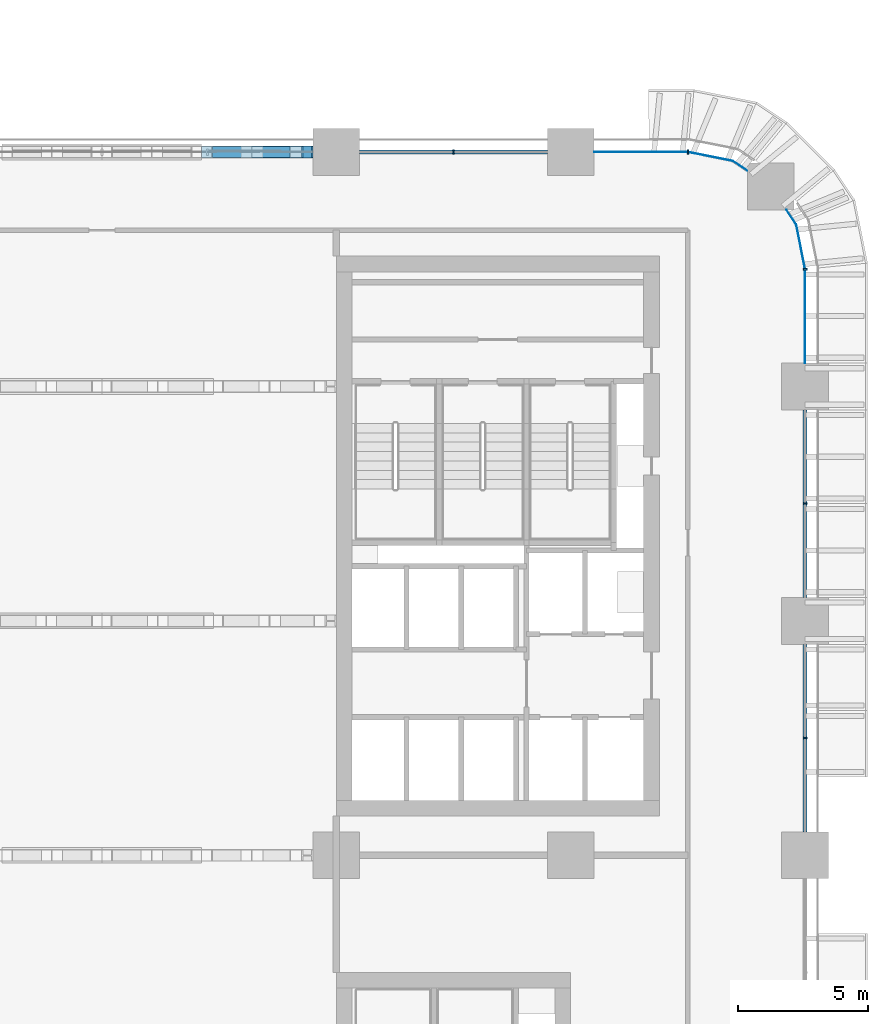
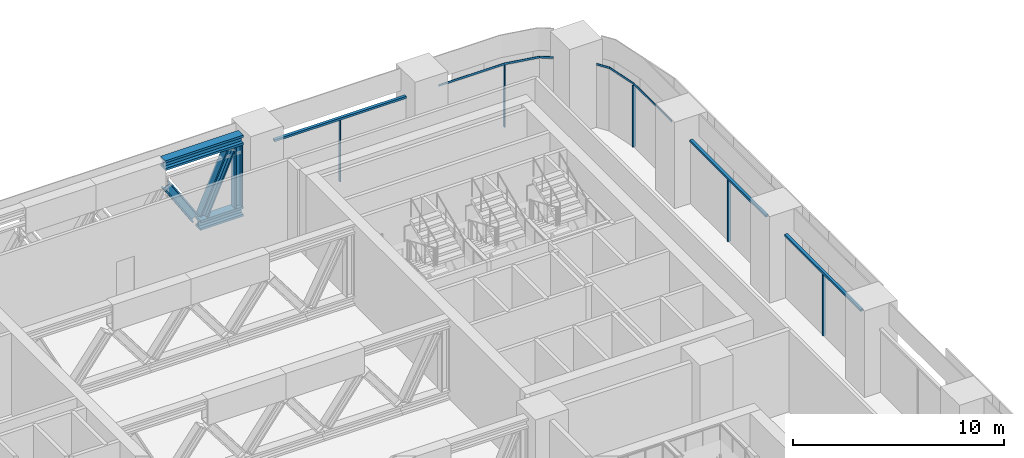
# One storey, part 10 of 35: 15 members, 5 elements without a shape of their own.
"""IFC4 building model written with IfcOpenShell, lengths in metres."""

import ifcopenshell
import ifcopenshell.guid

model = None  # the IFC model being written
_history = None  # IfcOwnerHistory: only IFC2X3 demands one
_inside = {}  # id of a spatial element -> (the spatial element, [elements in it])
_under = {}  # id of a project, library or spatial element -> (it, [spatial elements below it])
_declared = {}  # id of a project -> (the project, [libraries it declares])
_typed = {}  # id of a type object -> (the type object, [elements of that type])
_made_of = {}  # id of a material, layer set ... -> (it, [elements and type objects made of it])


def new_model(schema):
    """Start an empty IFC model of exactly this schema.

    Asked for "IFC4X3", IfcOpenShell would pick the latest addendum, in which some entities
    have other attributes; the version numbers below select the first issue.
    IFC2X3 requires an IfcOwnerHistory on every rooted entity: one is made here for all.
    """
    global model, _history
    if schema == "IFC4X3":
        model = ifcopenshell.file(schema_version=(4, 3, 0, 0))
    else:
        model = ifcopenshell.file(schema=schema)
    _inside.clear()
    _under.clear()
    _declared.clear()
    _typed.clear()
    _made_of.clear()
    _history = None
    if model.schema == "IFC2X3":
        org = make("IfcOrganization", Name="unknown")
        user = make(
            "IfcPersonAndOrganization",
            ThePerson=make("IfcPerson", FamilyName="unknown"),
            TheOrganization=org,
        )
        app = make(
            "IfcApplication",
            ApplicationDeveloper=org,
            Version="unknown",
            ApplicationFullName="unknown",
            ApplicationIdentifier="unknown",
        )
        _history = make(
            "IfcOwnerHistory",
            OwningUser=user,
            OwningApplication=app,
            ChangeAction="ADDED",
            CreationDate=0,
        )
    return model


def make(cls, **values):
    """One entity of the class cls with the attributes given. An attribute that is None is left unset."""
    return model.create_entity(
        cls, **{name: value for name, value in values.items() if value is not None}
    )


def rooted(cls, **values):
    """An entity with a GlobalId (a new one), such as an element, a storey or a relation."""
    return make(cls, GlobalId=ifcopenshell.guid.new(), OwnerHistory=_history, **values)


def si_unit(unit_type, name, prefix=None):
    """IfcSIUnit, for example si_unit("LENGTHUNIT", "METRE", prefix="MILLI")."""
    return make("IfcSIUnit", UnitType=unit_type, Prefix=prefix, Name=name)


def assignment(units):
    """IfcUnitAssignment: the units of a project."""
    return None if units is None else make("IfcUnitAssignment", Units=units)


def point(xyz):
    """IfcCartesianPoint."""
    return None if xyz is None else make("IfcCartesianPoint", Coordinates=xyz)


def direction(xyz):
    """IfcDirection."""
    return None if xyz is None else make("IfcDirection", DirectionRatios=xyz)


def frame(location, z_axis=None, x_axis=None):
    """IfcAxis2Placement3D, a coordinate frame: its origin and axes. An axis left out is left unset."""
    return make(
        "IfcAxis2Placement3D",
        Location=point(location),
        Axis=direction(z_axis),
        RefDirection=direction(x_axis),
    )


def frame_2d(location, x_axis=None):
    """IfcAxis2Placement2D, a coordinate frame in the plane: its origin and x axis."""
    return make(
        "IfcAxis2Placement2D", Location=point(location), RefDirection=direction(x_axis)
    )


def origin():
    """The frame at (0, 0, 0) with its axes left unset."""
    return frame((0.0, 0.0, 0.0))


def origin_2d():
    """The frame at (0, 0) in the plane with its x axis left unset."""
    return frame_2d((0.0, 0.0))


def place(relative_to, where):
    """IfcLocalPlacement: puts the frame where relative to a parent placement (None: the world)."""
    return make(
        "IfcLocalPlacement", PlacementRelTo=relative_to, RelativePlacement=where
    )


def context(
    kind, dimensions, precision=None, world=None, true_north=None, identifier=None
):
    """IfcGeometricRepresentationContext, for example the 3D "Model" context."""
    return make(
        "IfcGeometricRepresentationContext",
        ContextIdentifier=identifier,
        ContextType=kind,
        CoordinateSpaceDimension=dimensions,
        Precision=precision,
        WorldCoordinateSystem=world,
        TrueNorth=true_north,
    )


def subcontext(parent, identifier, kind, view, scale=None):
    """IfcGeometricRepresentationSubContext, for example "Body" below "Model"."""
    return make(
        "IfcGeometricRepresentationSubContext",
        ContextIdentifier=identifier,
        ContextType=kind,
        ParentContext=parent,
        TargetScale=scale,
        TargetView=view,
    )


def project(units=None, contexts=None):
    """IfcProject with its units and contexts."""
    return rooted(
        "IfcProject",
        Name="project",
        RepresentationContexts=contexts,
        UnitsInContext=assignment(units),
    )


def spatial(cls, under=None, at=None, **own):
    """A site, building, storey or space (cls), placed at a placement, below another one or the project."""
    s = rooted(cls, ObjectPlacement=at, **own)
    if under is not None:
        _under.setdefault(under.id(), (under, []))[1].append(s)
    return s


def polyline(points):
    """IfcPolyline through the points."""
    return make("IfcPolyline", Points=[point(p) for p in points])


def profile(cls, at=None, kind="AREA", **sizes):
    """A parametric profile (cls). Its sizes go by their IFC names, for example OverallWidth=200.0."""
    return make(cls, ProfileType=kind, Position=at, **sizes)


def rectangle(**sizes):
    """IfcRectangleProfileDef."""
    return profile("IfcRectangleProfileDef", **sizes)


def i_section(**sizes):
    """IfcIShapeProfileDef."""
    return profile("IfcIShapeProfileDef", **sizes)


def outline(outer, holes=None, kind="AREA"):
    """IfcArbitraryClosedProfileDef: a profile drawn as a closed curve; with holes, ...WithVoids."""
    if holes is None:
        return make("IfcArbitraryClosedProfileDef", ProfileType=kind, OuterCurve=outer)
    return make(
        "IfcArbitraryProfileDefWithVoids",
        ProfileType=kind,
        OuterCurve=outer,
        InnerCurves=holes,
    )


def extrude(swept, where, along, depth):
    """IfcExtrudedAreaSolid: the profile swept, set in the frame where, extruded along a direction by depth."""
    return make(
        "IfcExtrudedAreaSolid",
        SweptArea=swept,
        Position=where,
        ExtrudedDirection=direction(along),
        Depth=depth,
    )


def shape(context_of_items, identifier, shape_type, items):
    """IfcShapeRepresentation: the items that make up one representation, for example the "Body"."""
    return make(
        "IfcShapeRepresentation",
        ContextOfItems=context_of_items,
        RepresentationIdentifier=identifier,
        RepresentationType=shape_type,
        Items=items,
    )


def material(Name=None, Category=None):
    """IfcMaterial."""
    return make("IfcMaterial", Name=Name, Category=Category)


def material_profile(
    of_material, cross_section, Name=None, Category=None, Priority=None
):
    """IfcMaterialProfile: a cross section and its material."""
    return make(
        "IfcMaterialProfile",
        Name=Name,
        Material=of_material,
        Profile=cross_section,
        Priority=Priority,
        Category=Category,
    )


def profile_set(profiles, Name=None, composite=None):
    """IfcMaterialProfileSet."""
    return make(
        "IfcMaterialProfileSet",
        Name=Name,
        MaterialProfiles=profiles,
        CompositeProfile=composite,
    )


def made_of(thing, what):
    """Note that an element or type object is made of a material, layer set ...; save() writes the relation."""
    if what is not None:
        _made_of.setdefault(what.id(), (what, []))[1].append(thing)
    return thing


def type_object(cls, material=None, **own):
    """A type object (cls), such as IfcWallType, which elements share."""
    return made_of(rooted(cls, **own), material)


def element(
    cls,
    number,
    at=None,
    inside=None,
    cuts=None,
    type_object=None,
    material=None,
    context=None,
    identifier="Body",
    shape_type=None,
    held_by="IfcProductDefinitionShape",
    body=None,
    shapes=None,
    **own,
):
    """One element of the class cls, such as IfcWall. Its Tag is "e" and its number.

    at: its placement. inside: the storey or other place that contains it. cuts: it is an
    opening in that element (IfcRelVoidsElement). A single representation is given by context,
    identifier, shape_type and body (its items); several are given by shapes. held_by: the class
    of the entity that holds the representations. save() writes the other relations.
    """
    e = rooted(cls, Tag="e%d" % number, ObjectPlacement=at, **own)
    if body is not None:
        shapes = [shape(context, identifier, shape_type, body)]
    if shapes is not None:
        e.Representation = make(held_by, Representations=shapes)
    if inside is not None:
        _inside.setdefault(inside.id(), (inside, []))[1].append(e)
    if cuts is not None:
        rooted(
            "IfcRelVoidsElement", RelatingBuildingElement=cuts, RelatedOpeningElement=e
        )
    if type_object is not None:
        _typed.setdefault(type_object.id(), (type_object, []))[1].append(e)
    return made_of(e, material)


def aggregate(whole, parts):
    """IfcRelAggregates: a whole, such as a stair, and the parts it consists of."""
    return rooted("IfcRelAggregates", RelatingObject=whole, RelatedObjects=parts)


def save(model, path):
    """Write the relations noted so far, then the file.

    IfcRelAggregates (storeys below a building ...), IfcRelContainedInSpatialStructure (elements
    in a storey), IfcRelDefinesByType, IfcRelAssociatesMaterial and IfcRelDeclares: one each for
    every whole, place, type object, material and project.
    """
    for whole, parts in _under.values():
        aggregate(whole, parts)
    for where, things in _inside.values():
        rooted(
            "IfcRelContainedInSpatialStructure",
            RelatedElements=things,
            RelatingStructure=where,
        )
    for kind, things in _typed.values():
        rooted("IfcRelDefinesByType", RelatedObjects=things, RelatingType=kind)
    for what, things in _made_of.values():
        rooted("IfcRelAssociatesMaterial", RelatedObjects=things, RelatingMaterial=what)
    for by, libraries in _declared.values():
        rooted("IfcRelDeclares", RelatingContext=by, RelatedDefinitions=libraries)
    model.write(path)


model = new_model("IFC4")

# Units and contexts
model_context = context("Model", 3, precision=1e-05, world=origin(), true_north=direction((0.0, 1.0)))
body_context = subcontext(model_context, "Body", "Model", "MODEL_VIEW")
ifc_project = project(units=[si_unit("LENGTHUNIT", "METRE"), si_unit("AREAUNIT", "SQUARE_METRE"), si_unit("VOLUMEUNIT", "CUBIC_METRE"), si_unit("PLANEANGLEUNIT", "RADIAN"), si_unit("MASSUNIT", "GRAM", prefix="KILO")], contexts=[model_context])

# Site, building, storey
site_placement = place(None, origin())
site = spatial("IfcSite", under=ifc_project, at=site_placement, CompositionType="ELEMENT")
building_placement = place(site_placement, origin())
building = spatial("IfcBuilding", under=site, at=building_placement, Name="Tessera Arch", CompositionType="ELEMENT")
storey_placement = place(building_placement, frame((0.0, 0.0, 26.0)))
storey = spatial("IfcBuildingStorey", under=building, at=storey_placement, Name="L04", CompositionType="ELEMENT", Elevation=26.0)

# Curtain wall, member
ifc_material_1 = material(Name="CW7 curtain wall")
curtain_wall_type = type_object("IfcCurtainWallType", Name="CW7 curtain wall", PredefinedType="NOTDEFINED", material=ifc_material_1)
curtain_wall_1_placement = place(storey_placement, origin())
curtain_wall_1 = element("IfcCurtainWall", 1, at=curtain_wall_1_placement, inside=storey, type_object=curtain_wall_type, Name="CW7 curtain wall E54.0/3 L04", PredefinedType="NOTDEFINED")
ifc_material_2 = material(Name="Anodised aluminium pale metal", Category="aluminium")
ifc_material_profile_1 = material_profile(ifc_material_2, rectangle(XDim=0.159912109375, YDim=0.06005859375, at=origin_2d()), Name="AL 60x160")
ifc_profile_set_1 = profile_set([ifc_material_profile_1], Name="Anodised aluminium pale metal")
member_type_1 = type_object("IfcMemberType", Name="CW7 mullion", PredefinedType="MULLION", material=ifc_profile_set_1)
member_1_placement = place(storey_placement, frame((54.0, 31.5, 0.0), z_axis=(0.0, 0.0, 1.0), x_axis=(-1.0, 0.0, 0.0)))
member_1 = element("IfcMember", 2, at=member_1_placement, type_object=member_type_1, Name="CW7 mullion E54.0/3 1", PredefinedType="MULLION", context=body_context, shape_type="SweptSolid", body=[
    extrude(rectangle(XDim=0.159912109375, YDim=0.06005859375, at=origin_2d()), origin(), (0.0, 0.0, 1.0), 3.580078125),
])

curtain_wall_2_placement = place(storey_placement, origin())
curtain_wall_2 = element("IfcCurtainWall", 3, at=curtain_wall_2_placement, inside=storey, type_object=curtain_wall_type, Name="CW7 curtain wall E54.0/4 L04", PredefinedType="NOTDEFINED")
member_2_placement = place(storey_placement, frame((54.0, 40.5, 0.0), z_axis=(0.0, 0.0, 1.0), x_axis=(-1.0, 0.0, 0.0)))
member_2 = element("IfcMember", 4, at=member_2_placement, type_object=member_type_1, Name="CW7 mullion E54.0/4 1", PredefinedType="MULLION", context=body_context, shape_type="SweptSolid", body=[
    extrude(rectangle(XDim=0.159912109375, YDim=0.06005859375, at=origin_2d()), origin(), (0.0, 0.0, 1.0), 3.580078125),
])

curtain_wall_3_placement = place(storey_placement, origin())
curtain_wall_3 = element("IfcCurtainWall", 5, at=curtain_wall_3_placement, inside=storey, type_object=curtain_wall_type, Name="CW7 curtain wall E54.0/5 L04", PredefinedType="NOTDEFINED")
member_3_placement = place(storey_placement, frame((54.0, 49.5, 0.0), z_axis=(0.0, 0.0, 1.0), x_axis=(-1.0, 0.0, 0.0)))
member_3 = element("IfcMember", 6, at=member_3_placement, type_object=member_type_1, Name="CW7 mullion E54.0/5 1", PredefinedType="MULLION", context=body_context, shape_type="SweptSolid", body=[
    extrude(rectangle(XDim=0.159912109375, YDim=0.06005859375, at=origin_2d()), origin(), (0.0, 0.0, 1.0), 3.580078125),
])

curtain_wall_4_placement = place(storey_placement, origin())
curtain_wall_4 = element("IfcCurtainWall", 7, at=curtain_wall_4_placement, inside=storey, type_object=curtain_wall_type, Name="CW7 curtain wall N54.0/0 L04", PredefinedType="NOTDEFINED")
member_4_placement = place(storey_placement, frame((49.5, 54.0, 0.0), z_axis=(0.0, 0.0, 1.0), x_axis=(0.0, -1.0, 0.0)))
member_4 = element("IfcMember", 8, at=member_4_placement, type_object=member_type_1, Name="CW7 mullion N54.0/0 1", PredefinedType="MULLION", context=body_context, shape_type="SweptSolid", body=[
    extrude(rectangle(XDim=0.159912109375, YDim=0.06005859375, at=origin_2d()), origin(), (0.0, 0.0, 1.0), 3.580078125),
])

curtain_wall_5_placement = place(storey_placement, origin())
curtain_wall_5 = element("IfcCurtainWall", 9, at=curtain_wall_5_placement, inside=storey, type_object=curtain_wall_type, Name="CW7 curtain wall N54.0/1 L04", PredefinedType="NOTDEFINED")
member_5_placement = place(storey_placement, frame((40.5, 54.0, 0.0), z_axis=(0.0, 0.0, 1.0), x_axis=(0.0, -1.0, 0.0)))
member_5 = element("IfcMember", 10, at=member_5_placement, type_object=member_type_1, Name="CW7 mullion N54.0/1 1", PredefinedType="MULLION", context=body_context, shape_type="SweptSolid", body=[
    extrude(rectangle(XDim=0.159912109375, YDim=0.06005859375, at=origin_2d()), origin(), (0.0, 0.0, 1.0), 3.580078125),
])

# Member
ifc_material_3 = material(Name="Anodised aluminium pale metal", Category="aluminium")
ifc_material_profile_2 = material_profile(ifc_material_3, rectangle(XDim=0.159912109375, YDim=0.1201171875, at=origin_2d()), Name="AL 160x120")
ifc_profile_set_2 = profile_set([ifc_material_profile_2], Name="Anodised aluminium pale metal")
member_type_2 = type_object("IfcMemberType", Name="CW7 transom", PredefinedType="USERDEFINED", material=ifc_profile_set_2)
member_6_placement = place(storey_placement, frame((54.0, 27.89990234375, 3.639892578125), z_axis=(0.0, 1.0, 0.0), x_axis=(-1.0, 0.0, 0.0)))
member_6 = element("IfcMember", 11, at=member_6_placement, type_object=member_type_2, Name="CW7 transom E54.0/3 1.1", ObjectType="TRANSOM", PredefinedType="USERDEFINED", context=body_context, shape_type="SweptSolid", body=[
    extrude(rectangle(XDim=0.159912109375, YDim=0.1201171875, at=origin_2d()), origin(), (0.0, 0.0, 1.0), 7.2001953125),
])

aggregate(curtain_wall_1, [member_1, member_6])

member_7_placement = place(storey_placement, frame((54.0, 36.89990234375, 3.639892578125), z_axis=(0.0, 1.0, 0.0), x_axis=(-1.0, 0.0, 0.0)))
member_7 = element("IfcMember", 12, at=member_7_placement, type_object=member_type_2, Name="CW7 transom E54.0/4 1.1", ObjectType="TRANSOM", PredefinedType="USERDEFINED", context=body_context, shape_type="SweptSolid", body=[
    extrude(rectangle(XDim=0.159912109375, YDim=0.1201171875, at=origin_2d()), origin(), (0.0, 0.0, 1.0), 7.2001953125),
])

aggregate(curtain_wall_2, [member_2, member_7])

member_8_placement = place(storey_placement, frame((0.0, 0.0, 3.580078125)))
member_8 = element("IfcMember", 13, at=member_8_placement, type_object=member_type_2, Name="CW7 transom E54.0/5 1", ObjectType="TRANSOM", PredefinedType="USERDEFINED", context=body_context, shape_type="SweptSolid", body=[
    extrude(outline(polyline([(53.989990234375, 49.4990234375), (53.989990234375, 45.89990234375), (54.010009765625, 45.89990234375), (54.010009765625, 49.5009765625), (53.6669921875, 51.22607421875), (53.29150390625, 51.78759765625), (53.27490234375, 51.7763671875), (53.648193359375, 51.21826171875), (53.989990234375, 49.4990234375)])), origin(), (0.0, 0.0, 1.0), 0.119873046875),
])

aggregate(curtain_wall_3, [member_3, member_8])

member_9_placement = place(storey_placement, frame((0.0, 0.0, 3.580078125)))
member_9 = element("IfcMember", 14, at=member_9_placement, type_object=member_type_2, Name="CW7 transom N54.0/0 1", ObjectType="TRANSOM", PredefinedType="USERDEFINED", context=body_context, shape_type="SweptSolid", body=[
    extrude(outline(polyline([(51.21826171875, 53.648193359375), (51.7763671875, 53.27490234375), (51.78759765625, 53.29150390625), (51.22607421875, 53.6669921875), (49.5009765625, 54.010009765625), (45.89990234375, 54.010009765625), (45.89990234375, 53.989990234375), (49.4990234375, 53.989990234375), (51.21826171875, 53.648193359375)])), origin(), (0.0, 0.0, 1.0), 0.119873046875),
])

aggregate(curtain_wall_4, [member_4, member_9])

member_10_placement = place(storey_placement, frame((44.10009765625, 54.0, 3.639892578125), z_axis=(-1.0, 0.0, 0.0), x_axis=(0.0, -1.0, 0.0)))
member_10 = element("IfcMember", 15, at=member_10_placement, type_object=member_type_2, Name="CW7 transom N54.0/1 1.1", ObjectType="TRANSOM", PredefinedType="USERDEFINED", context=body_context, shape_type="SweptSolid", body=[
    extrude(rectangle(XDim=0.159912109375, YDim=0.1201171875, at=origin_2d()), origin(), (0.0, 0.0, 1.0), 7.2001953125),
])

aggregate(curtain_wall_5, [member_5, member_10])

# Members
ifc_material_4 = material(Name="Steel A992 Gr50", Category="steel")
ifc_material_profile_3 = material_profile(ifc_material_4, i_section(OverallWidth=0.45458984375, OverallDepth=0.56884765625, WebThickness=0.077880859375, FlangeThickness=0.124755859375, at=origin_2d()), Name="W14x730")
ifc_profile_set_3 = profile_set([ifc_material_profile_3], Name="Steel A992 Gr50")
member_type_3 = type_object("IfcMemberType", Name="Truss chord W14x730", PredefinedType="CHORD", material=ifc_profile_set_3)
member_11_placement = place(storey_placement, frame((30.832763671875, 54.0, 4.41552734375), z_axis=(1.0, 0.0, 0.0), x_axis=(0.0, 1.0, 0.0)))
element("IfcMember", 16, at=member_11_placement, inside=storey, type_object=member_type_3, Name="Transfer truss top chord 4", PredefinedType="CHORD", context=body_context, shape_type="SweptSolid", body=[
    extrude(i_section(OverallWidth=0.45458984375, OverallDepth=0.56884765625, WebThickness=0.077880859375, FlangeThickness=0.124755859375, at=origin_2d()), origin(), (0.0, 0.0, 1.0), 4.26708984375),
])
member_12_placement = place(storey_placement, frame((32.749267578125, 54.0, 0.284423828125), z_axis=(1.0, 0.0, 0.0), x_axis=(0.0, 1.0, 0.0)))
element("IfcMember", 17, at=member_12_placement, inside=storey, type_object=member_type_3, Name="Transfer truss bottom chord 5", PredefinedType="CHORD", context=body_context, shape_type="SweptSolid", body=[
    extrude(i_section(OverallWidth=0.45458984375, OverallDepth=0.56884765625, WebThickness=0.077880859375, FlangeThickness=0.124755859375, at=origin_2d()), origin(), (0.0, 0.0, 1.0), 2.3505859375),
])
ifc_material_5 = material(Name="Steel A992 Gr50", Category="steel")
ifc_material_profile_4 = material_profile(ifc_material_5, i_section(OverallWidth=0.424072265625, OverallDepth=0.47412109375, WebThickness=0.047607421875, FlangeThickness=0.0771484375, at=origin_2d()), Name="W14x426")
ifc_profile_set_4 = profile_set([ifc_material_profile_4], Name="Steel A992 Gr50")
member_type_4 = type_object("IfcMemberType", Name="Truss diagonal W14x426", PredefinedType="BRACE", material=ifc_profile_set_4)
member_13_placement = place(storey_placement, frame((31.042236328125, 54.0, 3.05712890625), z_axis=(0.538089832254, 0.0, -0.842887496897), x_axis=(0.0, 1.0, 0.0)))
element("IfcMember", 18, at=member_13_placement, inside=storey, type_object=member_type_4, Name="Transfer truss diagonal 7", PredefinedType="BRACE", context=body_context, shape_type="SweptSolid", body=[
    extrude(i_section(OverallWidth=0.424072265625, OverallDepth=0.47412109375, WebThickness=0.047607421875, FlangeThickness=0.0771484375, at=origin_2d()), origin(), (0.0, 0.0, 1.0), 2.78271484375),
])
member_14_placement = place(storey_placement, frame((32.973388671875, 54.0, 0.680908203125), z_axis=(0.402507504904, 0.0, 0.915416685721), x_axis=(0.0, 1.0, 0.0)))
element("IfcMember", 19, at=member_14_placement, inside=storey, type_object=member_type_4, Name="Transfer truss diagonal 8", PredefinedType="BRACE", context=body_context, shape_type="SweptSolid", body=[
    extrude(i_section(OverallWidth=0.424072265625, OverallDepth=0.47412109375, WebThickness=0.047607421875, FlangeThickness=0.0771484375, at=origin_2d()), origin(), (0.0, 0.0, 1.0), 3.646484375),
])
ifc_material_6 = material(Name="Steel A992 Gr50", Category="steel")
ifc_material_profile_5 = material_profile(ifc_material_6, i_section(OverallWidth=0.411376953125, OverallDepth=0.434326171875, WebThickness=0.035888671875, FlangeThickness=0.057373046875, at=origin_2d()), Name="W14x311")
ifc_profile_set_5 = profile_set([ifc_material_profile_5], Name="Steel A992 Gr50")
member_type_5 = type_object("IfcMemberType", Name="Truss post W14x311", PredefinedType="POST", material=ifc_profile_set_5)
member_15_placement = place(storey_placement, frame((34.8828125, 54.0, 0.56884765625), z_axis=(0.0, 0.0, 1.0), x_axis=(0.0, 1.0, 0.0)))
element("IfcMember", 20, at=member_15_placement, inside=storey, type_object=member_type_5, Name="Transfer truss end post 2", PredefinedType="POST", context=body_context, shape_type="SweptSolid", body=[
    extrude(i_section(OverallWidth=0.411376953125, OverallDepth=0.434326171875, WebThickness=0.035888671875, FlangeThickness=0.057373046875, at=origin_2d()), origin(), (0.0, 0.0, 1.0), 3.562255859375),
])

save(model, "model.ifc")
